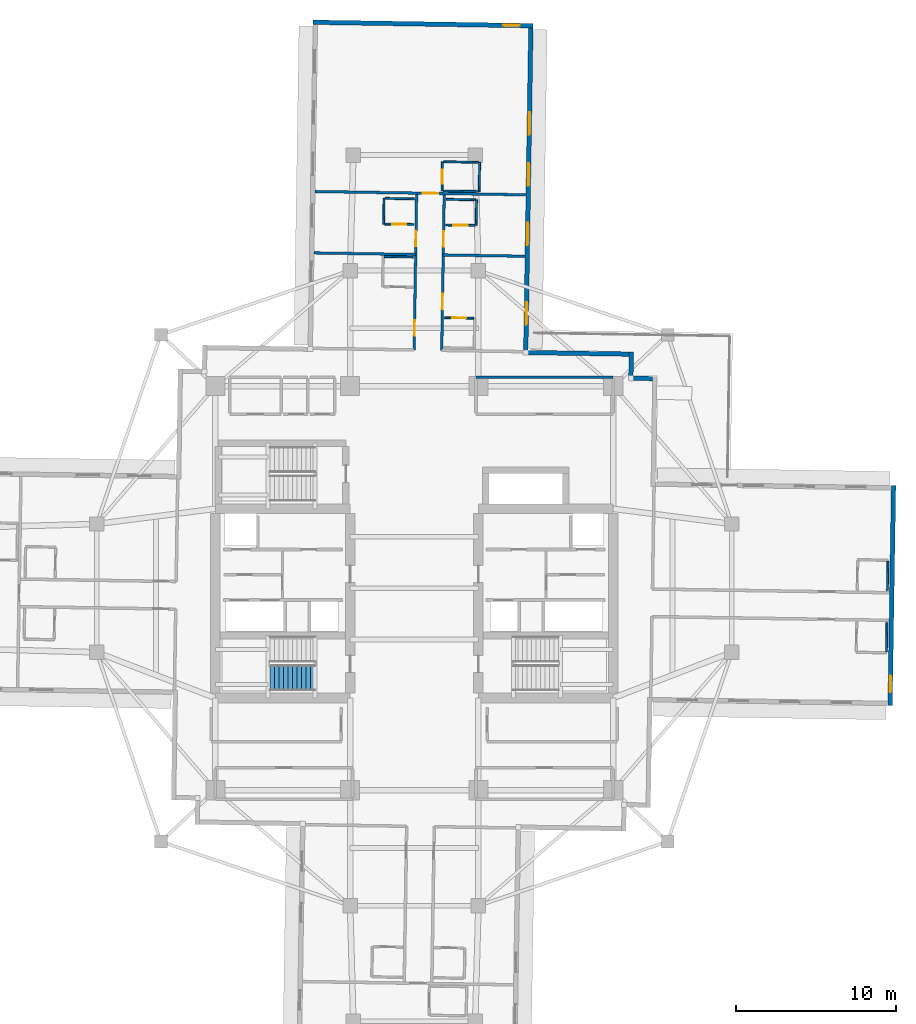
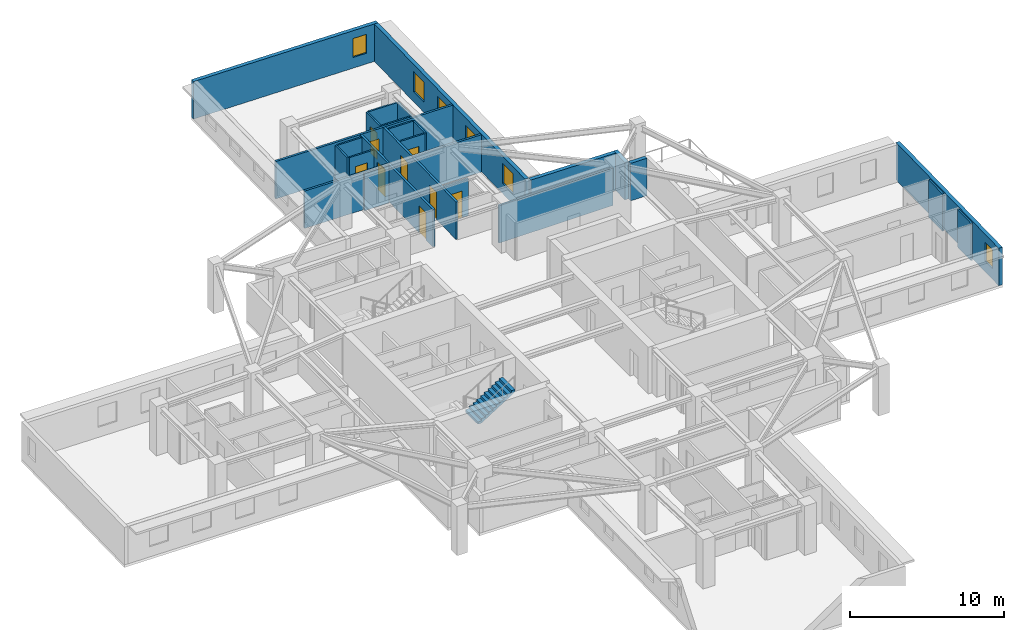
# One storey, part 7 of 13: 26 walls, 9 doors, 6 windows, 1 stair flight, 15 openings, 1 element without a shape of its own.
"""IFC4 building model written with IfcOpenShell, lengths in metres."""

import ifcopenshell
import ifcopenshell.guid

model = None  # the IFC model being written
_history = None  # IfcOwnerHistory: only IFC2X3 demands one
_inside = {}  # id of a spatial element -> (the spatial element, [elements in it])
_under = {}  # id of a project, library or spatial element -> (it, [spatial elements below it])
_declared = {}  # id of a project -> (the project, [libraries it declares])
_typed = {}  # id of a type object -> (the type object, [elements of that type])
_made_of = {}  # id of a material, layer set ... -> (it, [elements and type objects made of it])


def new_model(schema):
    """Start an empty IFC model of exactly this schema.

    Asked for "IFC4X3", IfcOpenShell would pick the latest addendum, in which some entities
    have other attributes; the version numbers below select the first issue.
    IFC2X3 requires an IfcOwnerHistory on every rooted entity: one is made here for all.
    """
    global model, _history
    if schema == "IFC4X3":
        model = ifcopenshell.file(schema_version=(4, 3, 0, 0))
    else:
        model = ifcopenshell.file(schema=schema)
    _inside.clear()
    _under.clear()
    _declared.clear()
    _typed.clear()
    _made_of.clear()
    _history = None
    if model.schema == "IFC2X3":
        org = make("IfcOrganization", Name="unknown")
        user = make(
            "IfcPersonAndOrganization",
            ThePerson=make("IfcPerson", FamilyName="unknown"),
            TheOrganization=org,
        )
        app = make(
            "IfcApplication",
            ApplicationDeveloper=org,
            Version="unknown",
            ApplicationFullName="unknown",
            ApplicationIdentifier="unknown",
        )
        _history = make(
            "IfcOwnerHistory",
            OwningUser=user,
            OwningApplication=app,
            ChangeAction="ADDED",
            CreationDate=0,
        )
    return model


def make(cls, **values):
    """One entity of the class cls with the attributes given. An attribute that is None is left unset."""
    return model.create_entity(
        cls, **{name: value for name, value in values.items() if value is not None}
    )


def rooted(cls, **values):
    """An entity with a GlobalId (a new one), such as an element, a storey or a relation."""
    return make(cls, GlobalId=ifcopenshell.guid.new(), OwnerHistory=_history, **values)


def si_unit(unit_type, name, prefix=None):
    """IfcSIUnit, for example si_unit("LENGTHUNIT", "METRE", prefix="MILLI")."""
    return make("IfcSIUnit", UnitType=unit_type, Prefix=prefix, Name=name)


def assignment(units):
    """IfcUnitAssignment: the units of a project."""
    return None if units is None else make("IfcUnitAssignment", Units=units)


def point(xyz):
    """IfcCartesianPoint."""
    return None if xyz is None else make("IfcCartesianPoint", Coordinates=xyz)


def direction(xyz):
    """IfcDirection."""
    return None if xyz is None else make("IfcDirection", DirectionRatios=xyz)


def frame(location, z_axis=None, x_axis=None):
    """IfcAxis2Placement3D, a coordinate frame: its origin and axes. An axis left out is left unset."""
    return make(
        "IfcAxis2Placement3D",
        Location=point(location),
        Axis=direction(z_axis),
        RefDirection=direction(x_axis),
    )


def frame_2d(location, x_axis=None):
    """IfcAxis2Placement2D, a coordinate frame in the plane: its origin and x axis."""
    return make(
        "IfcAxis2Placement2D", Location=point(location), RefDirection=direction(x_axis)
    )


def origin():
    """The frame at (0, 0, 0) with its axes left unset."""
    return frame((0.0, 0.0, 0.0))


def place(relative_to, where):
    """IfcLocalPlacement: puts the frame where relative to a parent placement (None: the world)."""
    return make(
        "IfcLocalPlacement", PlacementRelTo=relative_to, RelativePlacement=where
    )


def context(
    kind, dimensions, precision=None, world=None, true_north=None, identifier=None
):
    """IfcGeometricRepresentationContext, for example the 3D "Model" context."""
    return make(
        "IfcGeometricRepresentationContext",
        ContextIdentifier=identifier,
        ContextType=kind,
        CoordinateSpaceDimension=dimensions,
        Precision=precision,
        WorldCoordinateSystem=world,
        TrueNorth=true_north,
    )


def subcontext(parent, identifier, kind, view, scale=None):
    """IfcGeometricRepresentationSubContext, for example "Body" below "Model"."""
    return make(
        "IfcGeometricRepresentationSubContext",
        ContextIdentifier=identifier,
        ContextType=kind,
        ParentContext=parent,
        TargetScale=scale,
        TargetView=view,
    )


def project(units=None, contexts=None):
    """IfcProject with its units and contexts."""
    return rooted(
        "IfcProject",
        Name="project",
        RepresentationContexts=contexts,
        UnitsInContext=assignment(units),
    )


def spatial(cls, under=None, at=None, **own):
    """A site, building, storey or space (cls), placed at a placement, below another one or the project."""
    s = rooted(cls, ObjectPlacement=at, **own)
    if under is not None:
        _under.setdefault(under.id(), (under, []))[1].append(s)
    return s


def polyline(points):
    """IfcPolyline through the points."""
    return make("IfcPolyline", Points=[point(p) for p in points])


def profile(cls, at=None, kind="AREA", **sizes):
    """A parametric profile (cls). Its sizes go by their IFC names, for example OverallWidth=200.0."""
    return make(cls, ProfileType=kind, Position=at, **sizes)


def rectangle(**sizes):
    """IfcRectangleProfileDef."""
    return profile("IfcRectangleProfileDef", **sizes)


def outline(outer, holes=None, kind="AREA"):
    """IfcArbitraryClosedProfileDef: a profile drawn as a closed curve; with holes, ...WithVoids."""
    if holes is None:
        return make("IfcArbitraryClosedProfileDef", ProfileType=kind, OuterCurve=outer)
    return make(
        "IfcArbitraryProfileDefWithVoids",
        ProfileType=kind,
        OuterCurve=outer,
        InnerCurves=holes,
    )


def extrude(swept, where, along, depth):
    """IfcExtrudedAreaSolid: the profile swept, set in the frame where, extruded along a direction by depth."""
    return make(
        "IfcExtrudedAreaSolid",
        SweptArea=swept,
        Position=where,
        ExtrudedDirection=direction(along),
        Depth=depth,
    )


def shape(context_of_items, identifier, shape_type, items):
    """IfcShapeRepresentation: the items that make up one representation, for example the "Body"."""
    return make(
        "IfcShapeRepresentation",
        ContextOfItems=context_of_items,
        RepresentationIdentifier=identifier,
        RepresentationType=shape_type,
        Items=items,
    )


def material(Name=None, Category=None):
    """IfcMaterial."""
    return make("IfcMaterial", Name=Name, Category=Category)


def layer(
    of_material, thickness, ventilated=None, Name=None, Category=None, Priority=None
):
    """IfcMaterialLayer: one layer of a wall or slab, of a material (None: an air gap)."""
    return make(
        "IfcMaterialLayer",
        Material=of_material,
        LayerThickness=thickness,
        IsVentilated=ventilated,
        Name=Name,
        Category=Category,
        Priority=Priority,
    )


def layer_set(layers, Name=None):
    """IfcMaterialLayerSet."""
    return make("IfcMaterialLayerSet", MaterialLayers=layers, LayerSetName=Name)


def made_of(thing, what):
    """Note that an element or type object is made of a material, layer set ...; save() writes the relation."""
    if what is not None:
        _made_of.setdefault(what.id(), (what, []))[1].append(thing)
    return thing


def type_object(cls, material=None, **own):
    """A type object (cls), such as IfcWallType, which elements share."""
    return made_of(rooted(cls, **own), material)


def element(
    cls,
    number,
    at=None,
    inside=None,
    cuts=None,
    type_object=None,
    material=None,
    context=None,
    identifier="Body",
    shape_type=None,
    held_by="IfcProductDefinitionShape",
    body=None,
    shapes=None,
    **own,
):
    """One element of the class cls, such as IfcWall. Its Tag is "e" and its number.

    at: its placement. inside: the storey or other place that contains it. cuts: it is an
    opening in that element (IfcRelVoidsElement). A single representation is given by context,
    identifier, shape_type and body (its items); several are given by shapes. held_by: the class
    of the entity that holds the representations. save() writes the other relations.
    """
    e = rooted(cls, Tag="e%d" % number, ObjectPlacement=at, **own)
    if body is not None:
        shapes = [shape(context, identifier, shape_type, body)]
    if shapes is not None:
        e.Representation = make(held_by, Representations=shapes)
    if inside is not None:
        _inside.setdefault(inside.id(), (inside, []))[1].append(e)
    if cuts is not None:
        rooted(
            "IfcRelVoidsElement", RelatingBuildingElement=cuts, RelatedOpeningElement=e
        )
    if type_object is not None:
        _typed.setdefault(type_object.id(), (type_object, []))[1].append(e)
    return made_of(e, material)


def fill(opening, filler):
    """IfcRelFillsElement: the door or window that sits in an opening."""
    return rooted(
        "IfcRelFillsElement",
        RelatingOpeningElement=opening,
        RelatedBuildingElement=filler,
    )


def aggregate(whole, parts):
    """IfcRelAggregates: a whole, such as a stair, and the parts it consists of."""
    return rooted("IfcRelAggregates", RelatingObject=whole, RelatedObjects=parts)


def save(model, path):
    """Write the relations noted so far, then the file.

    IfcRelAggregates (storeys below a building ...), IfcRelContainedInSpatialStructure (elements
    in a storey), IfcRelDefinesByType, IfcRelAssociatesMaterial and IfcRelDeclares: one each for
    every whole, place, type object, material and project.
    """
    for whole, parts in _under.values():
        aggregate(whole, parts)
    for where, things in _inside.values():
        rooted(
            "IfcRelContainedInSpatialStructure",
            RelatedElements=things,
            RelatingStructure=where,
        )
    for kind, things in _typed.values():
        rooted("IfcRelDefinesByType", RelatedObjects=things, RelatingType=kind)
    for what, things in _made_of.values():
        rooted("IfcRelAssociatesMaterial", RelatedObjects=things, RelatingMaterial=what)
    for by, libraries in _declared.values():
        rooted("IfcRelDeclares", RelatingContext=by, RelatedDefinitions=libraries)
    model.write(path)


model = new_model("IFC4")

# Units and contexts
model_context = context("Model", 3, precision=1e-05, world=origin(), true_north=direction((0.0, 1.0)))
body_context = subcontext(model_context, "Body", "Model", "MODEL_VIEW")
ifc_project = project(units=[si_unit("LENGTHUNIT", "METRE"), si_unit("AREAUNIT", "SQUARE_METRE"), si_unit("VOLUMEUNIT", "CUBIC_METRE"), si_unit("PLANEANGLEUNIT", "RADIAN"), si_unit("MASSUNIT", "GRAM", prefix="KILO")], contexts=[model_context])

# Site, building, storey
site_placement = place(None, origin())
site = spatial("IfcSite", under=ifc_project, at=site_placement, CompositionType="ELEMENT")
building_placement = place(site_placement, origin())
building = spatial("IfcBuilding", under=site, at=building_placement, Name="Qingluan Cross Belvedere", CompositionType="ELEMENT")
storey_placement = place(building_placement, frame((0.0, 0.0, 180.0)))
storey = spatial("IfcBuildingStorey", under=building, at=storey_placement, Name="L45", CompositionType="ELEMENT", Elevation=180.0)

# Wall
ifc_material_1 = material(Name="Gypsum plasterboard on steel stud acoustic partition", Category="steel")
ifc_layer_1 = layer(ifc_material_1, 0.159912109375, Name="CorridorPartition_160")
ifc_layer_set_1 = layer_set([ifc_layer_1], Name="Gypsum plasterboard on steel stud acoustic partition")
wall_type_1 = type_object("IfcWallType", Name="CorridorPartition_160", PredefinedType="PARTITIONING", material=ifc_layer_set_1)
wall_1_placement = place(storey_placement, frame((3.85009765625, 13.14990234375, 0.0), z_axis=(0.0, 0.0, 1.0), x_axis=(1.0, 0.0, 0.0)))
element("IfcWall", 1, at=wall_1_placement, inside=storey, type_object=wall_type_1, Name="Partition L45:q_ne:N", PredefinedType="PARTITIONING", context=body_context, shape_type="SweptSolid", body=[
    extrude(rectangle(XDim=8.5498046875, YDim=0.159912109375, at=frame_2d((4.27490234375, 0.0))), origin(), (0.0, 0.0, 1.0), 2.9599609375),
])

# Wall, openings, doors
wall_2_placement = place(storey_placement, frame((1.713134765625, 14.824951171875, 0.0), z_axis=(0.0, 0.0, 1.0), x_axis=(0.015705659641, 0.999876658521, 0.0)))
wall_2 = element("IfcWall", 2, at=wall_2_placement, inside=storey, type_object=wall_type_1, Name="Partition L45:N:c0", PredefinedType="PARTITIONING", context=body_context, shape_type="SweptSolid", body=[
    extrude(rectangle(XDim=9.699951171875, YDim=0.159912109375, at=frame_2d((4.85009765625, 0.0))), origin(), (0.0, 0.0, 1.0), 2.9599609375),
])
opening_1_placement = place(wall_2_placement, frame((2.574951171875, 0.0, 0.0)))
opening_1 = element("IfcOpeningElement", 3, at=opening_1_placement, cuts=wall_2, Name="Opening GD-10", PredefinedType="OPENING", context=body_context, shape_type="SweptSolid", body=[
    extrude(rectangle(XDim=0.9599609375, YDim=2.14990234375, at=frame_2d((0.47998046875, 1.074951171875))), frame((0.0, 0.08984375, 0.0), z_axis=(0.0, -1.0, 0.0), x_axis=(1.0, 0.0, 0.0)), (0.0, 0.0, 1.0), 0.179931640625),
])
opening_2_placement = place(wall_2_placement, frame((6.467041015625, 0.0, 0.0)))
opening_2 = element("IfcOpeningElement", 4, at=opening_2_placement, cuts=wall_2, Name="Opening GD-10", PredefinedType="OPENING", context=body_context, shape_type="SweptSolid", body=[
    extrude(rectangle(XDim=0.9599609375, YDim=2.14990234375, at=frame_2d((0.47998046875, 1.074951171875))), frame((0.0, 0.08984375, 0.0), z_axis=(0.0, -1.0, 0.0), x_axis=(1.0, 0.0, 0.0)), (0.0, 0.0, 1.0), 0.179931640625),
])
ifc_material_2 = material(Name="Timber oak fire-rated acoustic guestroom door", Category="wood")
door_type_1 = type_object("IfcDoorType", Name="GuestEntryDoor_FD60", OperationType="NOTDEFINED", PredefinedType="DOOR", material=ifc_material_2)
door_1_placement = place(opening_1_placement, origin())
door_1 = element("IfcDoor", 5, at=door_1_placement, inside=storey, type_object=door_type_1, Name="Guest entry fire door 4505", OperationType="SINGLE_SWING_RIGHT", OverallHeight=2.14990234375, OverallWidth=0.9599609375, PredefinedType="DOOR", context=body_context, shape_type="SweptSolid", body=[
    extrude(rectangle(XDim=0.9599609375, YDim=2.14990234375, at=frame_2d((0.47998046875, 1.074951171875))), frame((0.0, 0.02490234375, 0.0), z_axis=(0.0, -1.0, 0.0), x_axis=(1.0, 0.0, 0.0)), (0.0, 0.0, 1.0), 0.050048828125),
])
fill(opening_1, door_1)
door_2_placement = place(opening_2_placement, origin())
door_2 = element("IfcDoor", 6, at=door_2_placement, inside=storey, type_object=door_type_1, Name="Guest entry fire door 4506", OperationType="SINGLE_SWING_RIGHT", OverallHeight=2.14990234375, OverallWidth=0.9599609375, PredefinedType="DOOR", context=body_context, shape_type="SweptSolid", body=[
    extrude(rectangle(XDim=0.9599609375, YDim=2.14990234375, at=frame_2d((0.47998046875, 1.074951171875))), frame((0.0, 0.02490234375, 0.0), z_axis=(0.0, -1.0, 0.0), x_axis=(1.0, 0.0, 0.0)), (0.0, 0.0, 1.0), 0.050048828125),
])
fill(opening_2, door_2)

# Wall
wall_3_placement = place(storey_placement, frame((1.806396484375, 20.774169921875, 0.0), z_axis=(0.0, 0.0, 1.0), x_axis=(0.999876343559, -0.015725698427, 0.0)))
element("IfcWall", 7, at=wall_3_placement, inside=storey, type_object=wall_type_1, Name="Partition L45:N:d0_0", PredefinedType="PARTITIONING", context=body_context, shape_type="SweptSolid", body=[
    extrude(rectangle(XDim=5.09228515625, YDim=0.159912109375, at=frame_2d((2.546142578125, 0.0))), origin(), (0.0, 0.0, 1.0), 2.9599609375),
])

# Wall, openings, doors
wall_4_placement = place(storey_placement, frame((-0.006591796875, 14.851806640625, 0.0), z_axis=(0.0, 0.0, 1.0), x_axis=(0.015680101899, 0.999877059645, 0.0)))
wall_4 = element("IfcWall", 8, at=wall_4_placement, inside=storey, type_object=wall_type_1, Name="Partition L45:N:c1", PredefinedType="PARTITIONING", context=body_context, shape_type="SweptSolid", body=[
    extrude(rectangle(XDim=9.7001953125, YDim=0.159912109375, at=frame_2d((4.85009765625, 0.0))), origin(), (0.0, 0.0, 1.0), 2.9599609375),
])
opening_3_placement = place(wall_4_placement, frame((0.889892578125, 0.0, 0.0)))
opening_3 = element("IfcOpeningElement", 9, at=opening_3_placement, cuts=wall_4, Name="Opening GD-10", PredefinedType="OPENING", context=body_context, shape_type="SweptSolid", body=[
    extrude(rectangle(XDim=0.9599609375, YDim=2.14990234375, at=frame_2d((0.47998046875, 1.074951171875))), frame((0.0, 0.08984375, 0.0), z_axis=(0.0, -1.0, 0.0), x_axis=(1.0, 0.0, 0.0)), (0.0, 0.0, 1.0), 0.179931640625),
])
opening_4_placement = place(wall_4_placement, frame((6.467041015625, 0.0, 0.0)))
opening_4 = element("IfcOpeningElement", 10, at=opening_4_placement, cuts=wall_4, Name="Opening GD-10", PredefinedType="OPENING", context=body_context, shape_type="SweptSolid", body=[
    extrude(rectangle(XDim=0.9599609375, YDim=2.14990234375, at=frame_2d((0.47998046875, 1.074951171875))), frame((0.0, 0.08984375, 0.0), z_axis=(0.0, -1.0, 0.0), x_axis=(1.0, 0.0, 0.0)), (0.0, 0.0, 1.0), 0.179931640625),
])
door_3_placement = place(opening_3_placement, origin())
door_3 = element("IfcDoor", 11, at=door_3_placement, inside=storey, type_object=door_type_1, Name="Guest entry fire door 4507", OperationType="SINGLE_SWING_RIGHT", OverallHeight=2.14990234375, OverallWidth=0.9599609375, PredefinedType="DOOR", context=body_context, shape_type="SweptSolid", body=[
    extrude(rectangle(XDim=0.9599609375, YDim=2.14990234375, at=frame_2d((0.47998046875, 1.074951171875))), frame((0.0, 0.02490234375, 0.0), z_axis=(0.0, -1.0, 0.0), x_axis=(1.0, 0.0, 0.0)), (0.0, 0.0, 1.0), 0.050048828125),
])
fill(opening_3, door_3)
door_4_placement = place(opening_4_placement, origin())
door_4 = element("IfcDoor", 12, at=door_4_placement, inside=storey, type_object=door_type_1, Name="Guest entry fire door 4508", OperationType="SINGLE_SWING_RIGHT", OverallHeight=2.14990234375, OverallWidth=0.9599609375, PredefinedType="DOOR", context=body_context, shape_type="SweptSolid", body=[
    extrude(rectangle(XDim=0.9599609375, YDim=2.14990234375, at=frame_2d((0.47998046875, 1.074951171875))), frame((0.0, 0.02490234375, 0.0), z_axis=(0.0, -1.0, 0.0), x_axis=(1.0, 0.0, 0.0)), (0.0, 0.0, 1.0), 0.050048828125),
])
fill(opening_4, door_4)

# Wall
wall_5_placement = place(storey_placement, frame((0.086669921875, 20.80126953125, 0.0), z_axis=(0.0, 0.0, 1.0), x_axis=(-0.999876857896, 0.015692961637, 0.0)))
element("IfcWall", 13, at=wall_5_placement, inside=storey, type_object=wall_type_1, Name="Partition L45:N:d1_0", PredefinedType="PARTITIONING", context=body_context, shape_type="SweptSolid", body=[
    extrude(rectangle(XDim=6.331787109375, YDim=0.159912109375, at=frame_2d((3.166015625, 0.0))), origin(), (0.0, 0.0, 1.0), 2.9599609375),
])

# Wall, opening, door
wall_6_placement = place(storey_placement, frame((-6.184326171875, 24.730224609375, 0.0), z_axis=(0.0, 0.0, 1.0), x_axis=(0.999876528878, -0.015713911007, 0.0)))
wall_6 = element("IfcWall", 14, at=wall_6_placement, inside=storey, type_object=wall_type_1, Name="Partition L45:Ncap:in", PredefinedType="PARTITIONING", context=body_context, shape_type="SweptSolid", body=[
    extrude(rectangle(XDim=13.14404296875, YDim=0.159912109375, at=frame_2d((6.572021484375, 0.0))), origin(), (0.0, 0.0, 1.0), 2.9599609375),
])
opening_5_placement = place(wall_6_placement, frame((6.7119140625, 0.0, 0.0)))
opening_5 = element("IfcOpeningElement", 15, at=opening_5_placement, cuts=wall_6, Name="Opening GD-10", PredefinedType="OPENING", context=body_context, shape_type="SweptSolid", body=[
    extrude(rectangle(XDim=0.9599609375, YDim=2.14990234375, at=frame_2d((0.47998046875, 1.074951171875))), frame((0.0, 0.08984375, 0.0), z_axis=(0.0, -1.0, 0.0), x_axis=(1.0, 0.0, 0.0)), (0.0, 0.0, 1.0), 0.179931640625),
])
door_5_placement = place(opening_5_placement, origin())
door_5 = element("IfcDoor", 16, at=door_5_placement, inside=storey, type_object=door_type_1, Name="Presidential suite entrance door L45N", OperationType="SINGLE_SWING_LEFT", OverallHeight=2.14990234375, OverallWidth=0.9599609375, PredefinedType="DOOR", context=body_context, shape_type="SweptSolid", body=[
    extrude(rectangle(XDim=0.9599609375, YDim=2.14990234375, at=frame_2d((0.47998046875, 1.074951171875))), frame((0.0, 0.02490234375, 0.0), z_axis=(0.0, -1.0, 0.0), x_axis=(1.0, 0.0, 0.0)), (0.0, 0.0, 1.0), 0.050048828125),
])
fill(opening_5, door_5)

# Walls
ifc_material_3 = material(Name="Moisture-resistant gypsum board lining")
ifc_layer_2 = layer(ifc_material_3, 0.1201171875, Name="EnsuiteWetPartition_120")
ifc_layer_set_2 = layer_set([ifc_layer_2], Name="Moisture-resistant gypsum board lining")
wall_type_2 = type_object("IfcWallType", Name="EnsuiteWetPartition_120", PredefinedType="PARTITIONING", material=ifc_layer_set_2)
wall_7_placement = place(storey_placement, frame((29.50146484375, -0.143310546875, 0.0), z_axis=(0.0, 0.0, 1.0), x_axis=(0.015694337248, 0.999876836305, 0.0)))
element("IfcWall", 17, at=wall_7_placement, inside=storey, type_object=wall_type_2, Name="Partition L45:E:bw0_0", PredefinedType="PARTITIONING", context=body_context, shape_type="SweptSolid", body=[
    extrude(rectangle(XDim=1.820068359375, YDim=0.1201171875, at=frame_2d((0.91015625, 0.0))), origin(), (0.0, 0.0, 1.0), 2.9599609375),
])
wall_8_placement = place(storey_placement, frame((29.44140625, -3.962890625, 0.0), z_axis=(0.0, 0.0, 1.0), x_axis=(0.015696442504, 0.999876803258, 0.0)))
element("IfcWall", 18, at=wall_8_placement, inside=storey, type_object=wall_type_2, Name="Partition L45:E:bw1_0", PredefinedType="PARTITIONING", context=body_context, shape_type="SweptSolid", body=[
    extrude(rectangle(XDim=1.81982421875, YDim=0.1201171875, at=frame_2d((0.909912109375, 0.0))), origin(), (0.0, 0.0, 1.0), 2.9599609375),
])

# Wall, opening, door
wall_9_placement = place(storey_placement, frame((1.885009765625, 16.862548828125, 0.0), z_axis=(0.0, 0.0, 1.0), x_axis=(0.999876836305, -0.015694337248, 0.0)))
wall_9 = element("IfcWall", 19, at=wall_9_placement, inside=storey, type_object=wall_type_2, Name="Partition L45:N:bs0_0", PredefinedType="PARTITIONING", context=body_context, shape_type="SweptSolid", body=[
    extrude(rectangle(XDim=1.820068359375, YDim=0.1201171875, at=frame_2d((0.91015625, 0.0))), origin(), (0.0, 0.0, 1.0), 2.9599609375),
])
opening_6_placement = place(wall_9_placement, frame((0.469970703125, 0.0, 0.0)))
opening_6 = element("IfcOpeningElement", 20, at=opening_6_placement, cuts=wall_9, Name="Opening BD-09", PredefinedType="OPENING", context=body_context, shape_type="SweptSolid", body=[
    extrude(rectangle(XDim=0.8798828125, YDim=2.10009765625, at=frame_2d((0.43994140625, 1.050048828125))), frame((0.0, 0.070068359375, 0.0), z_axis=(0.0, -1.0, 0.0), x_axis=(1.0, 0.0, 0.0)), (0.0, 0.0, 1.0), 0.14013671875),
])
ifc_material_4 = material(Name="Moisture-sealed timber en-suite door", Category="wood")
door_type_2 = type_object("IfcDoorType", Name="BathroomDoor_880", OperationType="NOTDEFINED", PredefinedType="DOOR", material=ifc_material_4)
door_6_placement = place(opening_6_placement, origin())
door_6 = element("IfcDoor", 21, at=door_6_placement, inside=storey, type_object=door_type_2, Name="Bathroom door 4505", OperationType="SINGLE_SWING_LEFT", OverallHeight=2.10009765625, OverallWidth=0.8798828125, PredefinedType="DOOR", context=body_context, shape_type="SweptSolid", body=[
    extrude(rectangle(XDim=0.8798828125, YDim=2.10009765625, at=frame_2d((0.43994140625, 1.050048828125))), frame((0.0, 0.02490234375, 0.0), z_axis=(0.0, -1.0, 0.0), x_axis=(1.0, 0.0, 0.0)), (0.0, 0.0, 1.0), 0.050048828125),
])
fill(opening_6, door_6)

wall_10_placement = place(storey_placement, frame((1.975830078125, 22.641845703125, 0.0), z_axis=(0.0, 0.0, 1.0), x_axis=(0.999876836305, -0.015694337248, 0.0)))
wall_10 = element("IfcWall", 22, at=wall_10_placement, inside=storey, type_object=wall_type_2, Name="Partition L45:N:bs0_1", PredefinedType="PARTITIONING", context=body_context, shape_type="SweptSolid", body=[
    extrude(rectangle(XDim=1.820068359375, YDim=0.1201171875, at=frame_2d((0.91015625, 0.0))), origin(), (0.0, 0.0, 1.0), 2.9599609375),
])
opening_7_placement = place(wall_10_placement, frame((0.469970703125, 0.0, 0.0)))
opening_7 = element("IfcOpeningElement", 23, at=opening_7_placement, cuts=wall_10, Name="Opening BD-09", PredefinedType="OPENING", context=body_context, shape_type="SweptSolid", body=[
    extrude(rectangle(XDim=0.8798828125, YDim=2.10009765625, at=frame_2d((0.43994140625, 1.050048828125))), frame((0.0, 0.070068359375, 0.0), z_axis=(0.0, -1.0, 0.0), x_axis=(1.0, 0.0, 0.0)), (0.0, 0.0, 1.0), 0.14013671875),
])
door_7_placement = place(opening_7_placement, origin())
door_7 = element("IfcDoor", 24, at=door_7_placement, inside=storey, type_object=door_type_2, Name="Bathroom door 4506", OperationType="SINGLE_SWING_LEFT", OverallHeight=2.10009765625, OverallWidth=0.8798828125, PredefinedType="DOOR", context=body_context, shape_type="SweptSolid", body=[
    extrude(rectangle(XDim=0.8798828125, YDim=2.10009765625, at=frame_2d((0.43994140625, 1.050048828125))), frame((0.0, 0.02490234375, 0.0), z_axis=(0.0, -1.0, 0.0), x_axis=(1.0, 0.0, 0.0)), (0.0, 0.0, 1.0), 0.050048828125),
])
fill(opening_7, door_7)

# Walls
wall_11_placement = place(storey_placement, frame((2.0009765625, 24.24169921875, 0.0), z_axis=(0.0, 0.0, 1.0), x_axis=(0.999874722342, -0.015828443418, 0.0)))
element("IfcWall", 25, at=wall_11_placement, inside=storey, type_object=wall_type_2, Name="Partition L45:N:bw0_1", PredefinedType="PARTITIONING", context=body_context, shape_type="SweptSolid", body=[
    extrude(rectangle(XDim=1.820068359375, YDim=0.1201171875, at=frame_2d((0.91015625, 0.0))), origin(), (0.0, 0.0, 1.0), 2.9599609375),
])
wall_12_placement = place(storey_placement, frame((3.860595703125, 22.612060546875, 0.0), z_axis=(0.0, 0.0, 1.0), x_axis=(0.015716050513, 0.999876495251, 0.0)))
element("IfcWall", 26, at=wall_12_placement, inside=storey, type_object=wall_type_2, Name="Partition L45:N:bn0_1", PredefinedType="PARTITIONING", context=body_context, shape_type="SweptSolid", body=[
    extrude(rectangle(XDim=1.60009765625, YDim=0.1201171875, at=frame_2d((0.800048828125, 0.0))), origin(), (0.0, 0.0, 1.0), 2.9599609375),
])
wall_13_placement = place(storey_placement, frame((-1.87548828125, 20.672119140625, 0.0), z_axis=(0.0, 0.0, 1.0), x_axis=(0.999874688728, -0.015830566654, 0.0)))
element("IfcWall", 27, at=wall_13_placement, inside=storey, type_object=wall_type_2, Name="Partition L45:N:bw1_0", PredefinedType="PARTITIONING", context=body_context, shape_type="SweptSolid", body=[
    extrude(rectangle(XDim=1.81982421875, YDim=0.1201171875, at=frame_2d((0.909912109375, 0.0))), origin(), (0.0, 0.0, 1.0), 2.9599609375),
])

# Wall, opening, door
wall_14_placement = place(storey_placement, frame((-1.843505859375, 22.701904296875, 0.0), z_axis=(0.0, 0.0, 1.0), x_axis=(0.999874688728, -0.015830566654, 0.0)))
wall_14 = element("IfcWall", 28, at=wall_14_placement, inside=storey, type_object=wall_type_2, Name="Partition L45:N:bs1_1", PredefinedType="PARTITIONING", context=body_context, shape_type="SweptSolid", body=[
    extrude(rectangle(XDim=1.81982421875, YDim=0.1201171875, at=frame_2d((0.909912109375, 0.0))), origin(), (0.0, 0.0, 1.0), 2.9599609375),
])
opening_8_placement = place(wall_14_placement, frame((0.469970703125, 0.0, 0.0)))
opening_8 = element("IfcOpeningElement", 29, at=opening_8_placement, cuts=wall_14, Name="Opening BD-09", PredefinedType="OPENING", context=body_context, shape_type="SweptSolid", body=[
    extrude(rectangle(XDim=0.8798828125, YDim=2.10009765625, at=frame_2d((0.43994140625, 1.050048828125))), frame((0.0, 0.070068359375, 0.0), z_axis=(0.0, -1.0, 0.0), x_axis=(1.0, 0.0, 0.0)), (0.0, 0.0, 1.0), 0.14013671875),
])
door_8_placement = place(opening_8_placement, origin())
door_8 = element("IfcDoor", 30, at=door_8_placement, inside=storey, type_object=door_type_2, Name="Bathroom door 4508", OperationType="SINGLE_SWING_LEFT", OverallHeight=2.10009765625, OverallWidth=0.8798828125, PredefinedType="DOOR", context=body_context, shape_type="SweptSolid", body=[
    extrude(rectangle(XDim=0.8798828125, YDim=2.10009765625, at=frame_2d((0.43994140625, 1.050048828125))), frame((0.0, 0.02490234375, 0.0), z_axis=(0.0, -1.0, 0.0), x_axis=(1.0, 0.0, 0.0)), (0.0, 0.0, 1.0), 0.050048828125),
])
fill(opening_8, door_8)

# Walls
wall_15_placement = place(storey_placement, frame((-1.818603515625, 24.301513671875, 0.0), z_axis=(0.0, 0.0, 1.0), x_axis=(0.999876836305, -0.015694337248, 0.0)))
element("IfcWall", 31, at=wall_15_placement, inside=storey, type_object=wall_type_2, Name="Partition L45:N:bw1_1", PredefinedType="PARTITIONING", context=body_context, shape_type="SweptSolid", body=[
    extrude(rectangle(XDim=1.820068359375, YDim=0.1201171875, at=frame_2d((0.91015625, 0.0))), origin(), (0.0, 0.0, 1.0), 2.9599609375),
])
wall_16_placement = place(storey_placement, frame((-1.90869140625, 22.702880859375, 0.0), z_axis=(0.0, 0.0, 1.0), x_axis=(0.015718448585, 0.999876457556, 0.0)))
element("IfcWall", 32, at=wall_16_placement, inside=storey, type_object=wall_type_2, Name="Partition L45:N:bc1_1", PredefinedType="PARTITIONING", context=body_context, shape_type="SweptSolid", body=[
    extrude(rectangle(XDim=1.599853515625, YDim=0.1201171875, at=frame_2d((0.7998046875, 0.0))), origin(), (0.0, 0.0, 1.0), 2.9599609375),
])

# Wall, opening, door
wall_17_placement = place(storey_placement, frame((1.729248046875, 24.765869140625, 0.0), z_axis=(0.0, 0.0, 1.0), x_axis=(0.015694337248, 0.999876836305, 0.0)))
wall_17 = element("IfcWall", 33, at=wall_17_placement, inside=storey, type_object=wall_type_2, Name="Partition L45:Ncap:bs", PredefinedType="PARTITIONING", context=body_context, shape_type="SweptSolid", body=[
    extrude(rectangle(XDim=1.820068359375, YDim=0.1201171875, at=frame_2d((0.91015625, 0.0))), origin(), (0.0, 0.0, 1.0), 2.9599609375),
])
opening_9_placement = place(wall_17_placement, frame((0.449951171875, 0.0, 0.0)))
opening_9 = element("IfcOpeningElement", 34, at=opening_9_placement, cuts=wall_17, Name="Opening BD-09", PredefinedType="OPENING", context=body_context, shape_type="SweptSolid", body=[
    extrude(rectangle(XDim=0.8798828125, YDim=2.10009765625, at=frame_2d((0.43994140625, 1.050048828125))), frame((0.0, 0.070068359375, 0.0), z_axis=(0.0, -1.0, 0.0), x_axis=(1.0, 0.0, 0.0)), (0.0, 0.0, 1.0), 0.14013671875),
])
door_9_placement = place(opening_9_placement, origin())
door_9 = element("IfcDoor", 35, at=door_9_placement, inside=storey, type_object=door_type_2, Name="En-suite bathroom door L45N", OperationType="SINGLE_SWING_RIGHT", OverallHeight=2.10009765625, OverallWidth=0.8798828125, PredefinedType="DOOR", context=body_context, shape_type="SweptSolid", body=[
    extrude(rectangle(XDim=0.8798828125, YDim=2.10009765625, at=frame_2d((0.43994140625, 1.050048828125))), frame((0.0, 0.02490234375, 0.0), z_axis=(0.0, -1.0, 0.0), x_axis=(1.0, 0.0, 0.0)), (0.0, 0.0, 1.0), 0.050048828125),
])
fill(opening_9, door_9)

# Walls
wall_18_placement = place(storey_placement, frame((4.048828125, 24.7294921875, 0.0), z_axis=(0.0, 0.0, 1.0), x_axis=(0.015694337248, 0.999876836305, 0.0)))
element("IfcWall", 36, at=wall_18_placement, inside=storey, type_object=wall_type_2, Name="Partition L45:Ncap:bb", PredefinedType="PARTITIONING", context=body_context, shape_type="SweptSolid", body=[
    extrude(rectangle(XDim=1.820068359375, YDim=0.1201171875, at=frame_2d((0.91015625, 0.0))), origin(), (0.0, 0.0, 1.0), 2.9599609375),
])
for number, where, z_axis, x_axis, name in (
    (37, (1.79931640625, 24.764892578125, 0.0), (0.0, 0.0, 1.0), (0.999877075733, -0.015679076008, 0.0), "Partition L45:Ncap:ba"),
    (38, (1.827880859375, 26.584716796875, 0.0), (0.0, 0.0, 1.0), (0.99987531373, -0.015791041581, 0.0), "Partition L45:Ncap:bn"),
):
    element("IfcWall", number, at=place(storey_placement, frame(where, z_axis=z_axis, x_axis=x_axis)), inside=storey, type_object=wall_type_2, Name=name, PredefinedType="PARTITIONING", context=body_context, shape_type="SweptSolid", body=[
        extrude(rectangle(XDim=2.179931640625, YDim=0.1201171875, at=frame_2d((1.08984375, 0.0))), origin(), (0.0, 0.0, 1.0), 2.9599609375),
    ])

# Wall, opening, window
ifc_material_5 = material(Name="Precast concrete C45", Category="concrete")
ifc_layer_3 = layer(ifc_material_5, 0.280029296875, Name="PrecastFacadeWall_280")
ifc_layer_set_3 = layer_set([ifc_layer_3], Name="Precast concrete C45")
wall_type_3 = type_object("IfcWallType", Name="PrecastFacadeWall_280", PredefinedType="STANDARD", material=ifc_layer_set_3)
wall_19_placement = place(storey_placement, frame((29.668701171875, -7.326904296875, 0.0), z_axis=(0.0, 0.0, 1.0), x_axis=(0.015694809807, 0.999876828887, 0.0)))
wall_19 = element("IfcWall", 39, at=wall_19_placement, inside=storey, type_object=wall_type_3, Name="Arm tip precast facade wall L45-E", PredefinedType="STANDARD", context=body_context, shape_type="SweptSolid", body=[
    extrude(rectangle(XDim=13.719970703125, YDim=0.280029296875, at=frame_2d((6.85986328125, 0.0))), origin(), (0.0, 0.0, 1.0), 2.969970703125),
])
opening_10_placement = place(wall_19_placement, frame((0.85009765625, 0.0, 0.85009765625)))
opening_10 = element("IfcOpeningElement", 40, at=opening_10_placement, cuts=wall_19, Name="Opening W-03", PredefinedType="OPENING", context=body_context, shape_type="SweptSolid", body=[
    extrude(rectangle(XDim=1.0, YDim=1.5, at=frame_2d((0.5, 0.75))), frame((0.0, 0.14990234375, 0.0), z_axis=(0.0, -1.0, 0.0), x_axis=(1.0, 0.0, 0.0)), (0.0, 0.0, 1.0), 0.300048828125),
])
ifc_material_6 = material(Name="Thermally broken triple Low-E glass in aluminium frame", Category="aluminium")
window_type_1 = type_object("IfcWindowType", Name="TriApexWin_1000x1500", PartitioningType="SINGLE_PANEL", PredefinedType="WINDOW", material=ifc_material_6)
window_1_placement = place(opening_10_placement, origin())
window_1 = element("IfcWindow", 41, at=window_1_placement, inside=storey, type_object=window_type_1, Name="Arm tip triangular window L45-E", OverallHeight=1.5, OverallWidth=1.0, PartitioningType="SINGLE_PANEL", PredefinedType="WINDOW", context=body_context, shape_type="SweptSolid", body=[
    extrude(rectangle(XDim=1.0, YDim=1.5, at=frame_2d((0.5, 0.75))), frame((0.0, 0.030029296875, 0.0), z_axis=(0.0, -1.0, 0.0), x_axis=(1.0, 0.0, 0.0)), (0.0, 0.0, 1.0), 0.06005859375),
])
fill(opening_10, window_1)

# Wall, openings, windows
wall_20_placement = place(storey_placement, frame((6.953857421875, 14.83251953125, 0.0), z_axis=(0.0, 0.0, 1.0), x_axis=(0.015705059908, 0.999876667941, 0.0)))
wall_20 = element("IfcWall", 42, at=wall_20_placement, inside=storey, type_object=wall_type_3, Name="Facade wall L45-NA", PredefinedType="STANDARD", context=body_context, shape_type="SweptSolid", body=[
    extrude(rectangle(XDim=20.10009765625, YDim=0.280029296875, at=frame_2d((10.050048828125, 0.0))), origin(), (0.0, 0.0, 1.0), 2.969970703125),
])
opening_11_placement = place(wall_20_placement, frame((1.60009765625, 0.0, 0.800048828125)))
opening_11 = element("IfcOpeningElement", 43, at=opening_11_placement, cuts=wall_20, Name="Opening W-01", PredefinedType="OPENING", context=body_context, shape_type="SweptSolid", body=[
    extrude(rectangle(XDim=1.39990234375, YDim=1.60009765625, at=frame_2d((0.699951171875, 0.800048828125))), frame((0.0, 0.14990234375, 0.0), z_axis=(0.0, -1.0, 0.0), x_axis=(1.0, 0.0, 0.0)), (0.0, 0.0, 1.0), 0.300048828125),
])
opening_12_placement = place(wall_20_placement, frame((6.550048828125, 0.0, 0.800048828125)))
opening_12 = element("IfcOpeningElement", 44, at=opening_12_placement, cuts=wall_20, Name="Opening W-01", PredefinedType="OPENING", context=body_context, shape_type="SweptSolid", body=[
    extrude(rectangle(XDim=1.39990234375, YDim=1.60009765625, at=frame_2d((0.699951171875, 0.800048828125))), frame((0.0, 0.14990234375, 0.0), z_axis=(0.0, -1.0, 0.0), x_axis=(1.0, 0.0, 0.0)), (0.0, 0.0, 1.0), 0.300048828125),
])
opening_13_placement = place(wall_20_placement, frame((10.25, 0.0, 0.800048828125)))
opening_13 = element("IfcOpeningElement", 45, at=opening_13_placement, cuts=wall_20, Name="Opening W-01", PredefinedType="OPENING", context=body_context, shape_type="SweptSolid", body=[
    extrude(rectangle(XDim=1.39990234375, YDim=1.60009765625, at=frame_2d((0.699951171875, 0.800048828125))), frame((0.0, 0.14990234375, 0.0), z_axis=(0.0, -1.0, 0.0), x_axis=(1.0, 0.0, 0.0)), (0.0, 0.0, 1.0), 0.300048828125),
])
opening_14_placement = place(wall_20_placement, frame((13.449951171875, 0.0, 0.800048828125)))
opening_14 = element("IfcOpeningElement", 46, at=opening_14_placement, cuts=wall_20, Name="Opening W-01", PredefinedType="OPENING", context=body_context, shape_type="SweptSolid", body=[
    extrude(rectangle(XDim=1.39990234375, YDim=1.60009765625, at=frame_2d((0.699951171875, 0.800048828125))), frame((0.0, 0.14990234375, 0.0), z_axis=(0.0, -1.0, 0.0), x_axis=(1.0, 0.0, 0.0)), (0.0, 0.0, 1.0), 0.300048828125),
])
ifc_material_7 = material(Name="Thermally broken triple Low-E glass in aluminium frame", Category="aluminium")
window_type_2 = type_object("IfcWindowType", Name="TriRibbonWin_1400x1600", PartitioningType="SINGLE_PANEL", PredefinedType="WINDOW", material=ifc_material_7)
window_2_placement = place(opening_11_placement, origin())
window_2 = element("IfcWindow", 47, at=window_2_placement, inside=storey, type_object=window_type_2, Name="Ribbon window L45-NA-1", OverallHeight=1.60009765625, OverallWidth=1.39990234375, PartitioningType="SINGLE_PANEL", PredefinedType="WINDOW", context=body_context, shape_type="SweptSolid", body=[
    extrude(rectangle(XDim=1.39990234375, YDim=1.60009765625, at=frame_2d((0.699951171875, 0.800048828125))), frame((0.0, 0.030029296875, 0.0), z_axis=(0.0, -1.0, 0.0), x_axis=(1.0, 0.0, 0.0)), (0.0, 0.0, 1.0), 0.06005859375),
])
fill(opening_11, window_2)
window_3_placement = place(opening_12_placement, origin())
window_3 = element("IfcWindow", 48, at=window_3_placement, inside=storey, type_object=window_type_2, Name="Ribbon window L45-NA-2", OverallHeight=1.60009765625, OverallWidth=1.39990234375, PartitioningType="SINGLE_PANEL", PredefinedType="WINDOW", context=body_context, shape_type="SweptSolid", body=[
    extrude(rectangle(XDim=1.39990234375, YDim=1.60009765625, at=frame_2d((0.699951171875, 0.800048828125))), frame((0.0, 0.030029296875, 0.0), z_axis=(0.0, -1.0, 0.0), x_axis=(1.0, 0.0, 0.0)), (0.0, 0.0, 1.0), 0.06005859375),
])
fill(opening_12, window_3)
window_4_placement = place(opening_13_placement, origin())
window_4 = element("IfcWindow", 49, at=window_4_placement, inside=storey, type_object=window_type_2, Name="Ribbon window L45-NA-3", OverallHeight=1.60009765625, OverallWidth=1.39990234375, PartitioningType="SINGLE_PANEL", PredefinedType="WINDOW", context=body_context, shape_type="SweptSolid", body=[
    extrude(rectangle(XDim=1.39990234375, YDim=1.60009765625, at=frame_2d((0.699951171875, 0.800048828125))), frame((0.0, 0.030029296875, 0.0), z_axis=(0.0, -1.0, 0.0), x_axis=(1.0, 0.0, 0.0)), (0.0, 0.0, 1.0), 0.06005859375),
])
fill(opening_13, window_4)
window_5_placement = place(opening_14_placement, origin())
window_5 = element("IfcWindow", 50, at=window_5_placement, inside=storey, type_object=window_type_2, Name="Ribbon window L45-NA-4", OverallHeight=1.60009765625, OverallWidth=1.39990234375, PartitioningType="SINGLE_PANEL", PredefinedType="WINDOW", context=body_context, shape_type="SweptSolid", body=[
    extrude(rectangle(XDim=1.39990234375, YDim=1.60009765625, at=frame_2d((0.699951171875, 0.800048828125))), frame((0.0, 0.030029296875, 0.0), z_axis=(0.0, -1.0, 0.0), x_axis=(1.0, 0.0, 0.0)), (0.0, 0.0, 1.0), 0.06005859375),
])
fill(opening_14, window_5)

# Wall, opening, window
wall_21_placement = place(storey_placement, frame((7.41162109375, 35.06787109375, 0.0), z_axis=(0.0, 0.0, 1.0), x_axis=(-0.999876549481, 0.015712599986, 0.0)))
wall_21 = element("IfcWall", 51, at=wall_21_placement, inside=storey, type_object=wall_type_3, Name="Arm tip precast facade wall L45-N", PredefinedType="STANDARD", context=body_context, shape_type="SweptSolid", body=[
    extrude(rectangle(XDim=13.719970703125, YDim=0.280029296875, at=frame_2d((6.85986328125, 0.0))), origin(), (0.0, 0.0, 1.0), 2.969970703125),
])
opening_15_placement = place(wall_21_placement, frame((0.85009765625, 0.0, 0.85009765625)))
opening_15 = element("IfcOpeningElement", 52, at=opening_15_placement, cuts=wall_21, Name="Opening W-03", PredefinedType="OPENING", context=body_context, shape_type="SweptSolid", body=[
    extrude(rectangle(XDim=1.0, YDim=1.5, at=frame_2d((0.5, 0.75))), frame((0.0, 0.14990234375, 0.0), z_axis=(0.0, -1.0, 0.0), x_axis=(1.0, 0.0, 0.0)), (0.0, 0.0, 1.0), 0.300048828125),
])
window_6_placement = place(opening_15_placement, origin())
window_6 = element("IfcWindow", 53, at=window_6_placement, inside=storey, type_object=window_type_1, Name="Arm tip triangular window L45-N", OverallHeight=1.5, OverallWidth=1.0, PartitioningType="SINGLE_PANEL", PredefinedType="WINDOW", context=body_context, shape_type="SweptSolid", body=[
    extrude(rectangle(XDim=1.0, YDim=1.5, at=frame_2d((0.5, 0.75))), frame((0.0, 0.030029296875, 0.0), z_axis=(0.0, -1.0, 0.0), x_axis=(1.0, 0.0, 0.0)), (0.0, 0.0, 1.0), 0.06005859375),
])
fill(opening_15, window_6)

# Walls
wall_22_placement = place(storey_placement, frame((14.8671875, 13.068115234375, 0.0), z_axis=(0.0, 0.0, 1.0), x_axis=(-0.999875053502, 0.015807510352, 0.0)))
element("IfcWall", 54, at=wall_22_placement, inside=storey, type_object=wall_type_3, Name="Corner wall L45-NE2", PredefinedType="STANDARD", context=body_context, shape_type="SweptSolid", body=[
    extrude(rectangle(XDim=1.22021484375, YDim=0.280029296875, at=frame_2d((0.610107421875, 0.0))), origin(), (0.0, 0.0, 1.0), 2.969970703125),
])
wall_23_placement = place(storey_placement, frame((13.509521484375, 13.2294921875, 0.0), z_axis=(0.0, 0.0, 1.0), x_axis=(0.015625635615, 0.999877912303, 0.0)))
element("IfcWall", 55, at=wall_23_placement, inside=storey, type_object=wall_type_3, Name="Corner wall L45-NE3", PredefinedType="STANDARD", context=body_context, shape_type="SweptSolid", body=[
    extrude(rectangle(XDim=1.5, YDim=0.280029296875, at=frame_2d((0.75, 0.0))), origin(), (0.0, 0.0, 1.0), 2.969970703125),
])
wall_24_placement = place(storey_placement, frame((13.390869140625, 14.591552734375, 0.0), z_axis=(0.0, 0.0, 1.0), x_axis=(-0.999876833368, 0.015694524359, 0.0)))
element("IfcWall", 56, at=wall_24_placement, inside=storey, type_object=wall_type_3, Name="Corner wall L45-NE4", PredefinedType="STANDARD", context=body_context, shape_type="SweptSolid", body=[
    extrude(rectangle(XDim=6.300048828125, YDim=0.280029296875, at=frame_2d((3.14990234375, 0.0))), origin(), (0.0, 0.0, 1.0), 2.969970703125),
])

# Stair, stair flight
ifc_material_8 = material(Name="Concrete C40", Category="concrete")
stair_type = type_object("IfcStairType", Name="CoreDoglegStair_1620", PredefinedType="HALF_TURN_STAIR", material=ifc_material_8)
stair_placement = place(storey_placement, origin())
stair = element("IfcStair", 57, at=stair_placement, inside=storey, type_object=stair_type, Name="L45 ST1", PredefinedType="HALF_TURN_STAIR")
ifc_material_9 = material(Name="Concrete C40", Category="concrete")
ifc_layer_4 = layer(ifc_material_9, 0.179931640625, Name="StairFlight_RC180")
ifc_layer_set_4 = layer_set([ifc_layer_4], Name="Concrete C40")
stair_flight_type = type_object("IfcStairFlightType", Name="StairFlight_RC180", PredefinedType="STRAIGHT", material=ifc_layer_set_4)
stair_flight_placement = place(storey_placement, frame((-8.97998046875, -5.590087890625, 1.949951171875), z_axis=(0.0, 0.0, 1.0), x_axis=(1.0, 0.0, 0.0)))
stair_flight = element("IfcStairFlight", 58, at=stair_flight_placement, type_object=stair_flight_type, Name="ST1 flight 2", NumberOfRisers=11, NumberOfTreads=10, PredefinedType="STRAIGHT", RiserHeight=0.177272727, TreadLength=0.28, context=body_context, shape_type="SweptSolid", body=[
    extrude(outline(polyline([(0.0, 0.0), (0.0, 0.17724609375), (0.280029296875, 0.17724609375), (0.280029296875, 0.3544921875), (0.56005859375, 0.3544921875), (0.56005859375, 0.53173828125), (0.840087890625, 0.53173828125), (0.840087890625, 0.708984375), (1.1201171875, 0.708984375), (1.1201171875, 0.886474609375), (1.39990234375, 0.886474609375), (1.39990234375, 1.063720703125), (1.679931640625, 1.063720703125), (1.679931640625, 1.240966796875), (1.9599609375, 1.240966796875), (1.9599609375, 1.418212890625), (2.239990234375, 1.418212890625), (2.239990234375, 1.595458984375), (2.52001953125, 1.595458984375), (2.52001953125, 1.772705078125), (2.800048828125, 1.772705078125), (2.800048828125, 1.949951171875), (2.800048828125, 1.59521484375), (0.2802734375, 0.0), (0.0, 0.0)])), frame((0.0, 0.81005859375, 0.0), z_axis=(0.0, -1.0, 0.0), x_axis=(1.0, 0.0, 0.0)), (0.0, 0.0, 1.0), 1.6201171875),
])
aggregate(stair, [stair_flight])

save(model, "model.ifc")
